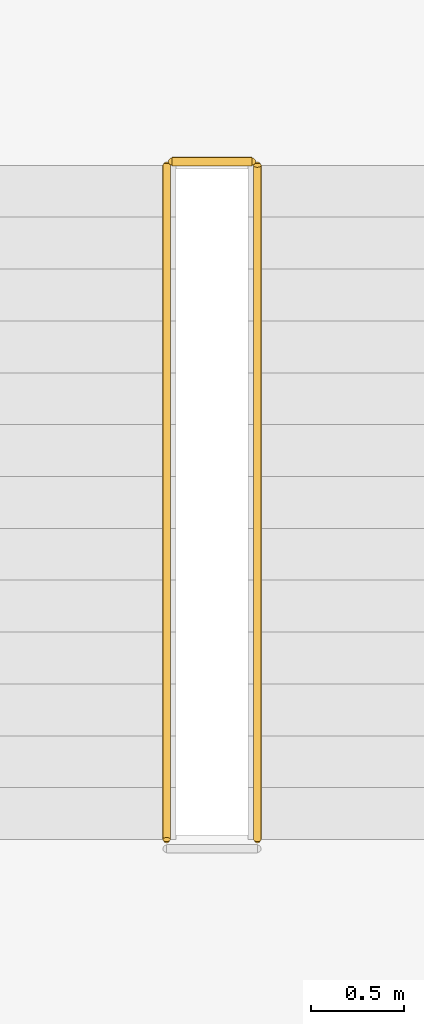
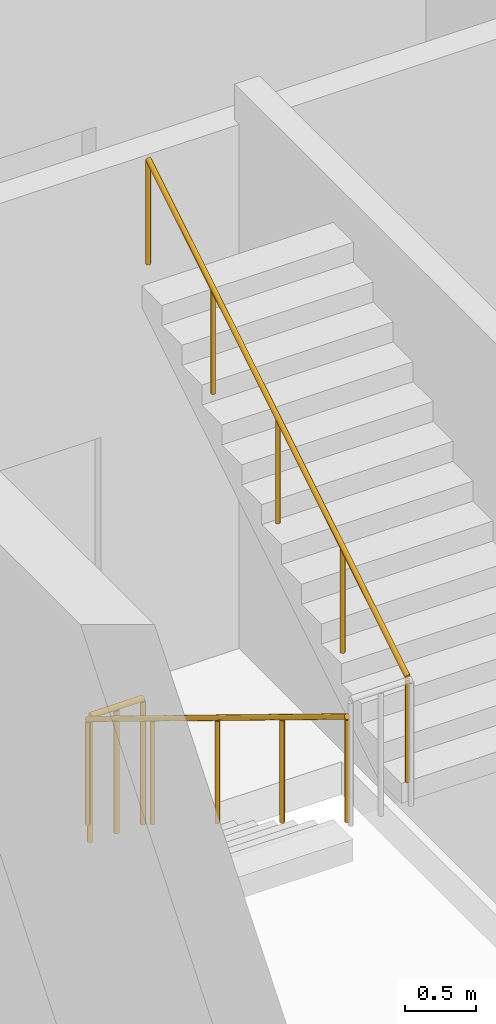
# One storey, part 157 of 167: 3 railings.
"""IFC4 building model written with IfcOpenShell, lengths in metres."""

from ifc_helpers import new_model, si_unit, direction, frame, origin, origin_2d, place, context, subcontext, project, spatial, circle, extrude, material, type_object, element, save


model = new_model("IFC4")

# Units and contexts
model_context = context("Model", 3, precision=1e-05, world=origin(), true_north=direction((0.0, 1.0)))
body_context = subcontext(model_context, "Body", "Model", "MODEL_VIEW")
ifc_project = project(units=[si_unit("LENGTHUNIT", "METRE"), si_unit("AREAUNIT", "SQUARE_METRE"), si_unit("VOLUMEUNIT", "CUBIC_METRE"), si_unit("PLANEANGLEUNIT", "RADIAN"), si_unit("MASSUNIT", "GRAM", prefix="KILO")], contexts=[model_context])

# Site, building, storey
site_placement = place(None, origin())
site = spatial("IfcSite", under=ifc_project, at=site_placement, CompositionType="ELEMENT")
building_placement = place(site_placement, origin())
building = spatial("IfcBuilding", under=site, at=building_placement, Name="Dornveld Trade and Exhibition Forum", CompositionType="ELEMENT")
storey_placement = place(building_placement, frame((0.0, 0.0, 16.800048828125)))
storey = spatial("IfcBuildingStorey", under=building, at=storey_placement, Name="L03", CompositionType="ELEMENT", Elevation=16.800048828125)

# Railings
ifc_material_1 = material(Name="Brushed stainless steel handrail", Category="steel")
railing_type_1 = type_object("IfcRailingType", Name="RL-HAND-920", PredefinedType="HANDRAIL", material=ifc_material_1)
railing_1_placement = place(storey_placement, frame((101.60498046875, 99.35009765625, 0.17138671875)))
element("IfcRailing", 1, at=railing_1_placement, inside=storey, type_object=railing_type_1, Name="ST-03-L03 flight 1 handrail", PredefinedType="HANDRAIL", context=body_context, shape_type="SweptSolid", body=[
    extrude(circle(Radius=0.02099609375, at=origin_2d()), frame((0.0, 0.0, 0.89892578125), z_axis=(0.0, -0.852865859571, 0.52213008492), x_axis=(1.0, 0.0, 0.0)), (0.0, 0.0, 1.0), 4.26806640625),
    extrude(circle(Radius=0.01806640625, at=origin_2d()), origin(), (0.0, 0.0, 1.0), 0.8779296875),
    extrude(circle(Radius=0.01806640625, at=origin_2d()), frame((0.0, -0.91015625, 0.55712890625)), (0.0, 0.0, 1.0), 0.8779296875),
    extrude(circle(Radius=0.01806640625, at=origin_2d()), frame((0.0, -1.820068359375, 1.1142578125)), (0.0, 0.0, 1.0), 0.8779296875),
    extrude(circle(Radius=0.01806640625, at=origin_2d()), frame((0.0, -2.72998046875, 1.67138671875)), (0.0, 0.0, 1.0), 0.8779296875),
    extrude(circle(Radius=0.01806640625, at=origin_2d()), frame((0.0, -3.64013671875, 2.228515625)), (0.0, 0.0, 1.0), 0.8779296875),
])
railing_2_placement = place(storey_placement, frame((102.094970703125, 95.7099609375, 2.5712890625)))
element("IfcRailing", 2, at=railing_2_placement, inside=storey, type_object=railing_type_1, Name="ST-03-L03 flight 2 handrail", PredefinedType="HANDRAIL", context=body_context, shape_type="SweptSolid", body=[
    extrude(circle(Radius=0.02099609375, at=origin_2d()), frame((0.0, 0.0, 0.89892578125), z_axis=(0.0, 0.852840387347, 0.522171689878), x_axis=(-1.0, 0.0, 0.0)), (0.0, 0.0, 1.0), 4.268310546875),
    extrude(circle(Radius=0.01806640625, at=origin_2d()), origin(), (0.0, 0.0, 1.0), 0.8779296875),
    extrude(circle(Radius=0.01806640625, at=origin_2d()), frame((0.0, 0.91015625, 0.55712890625)), (0.0, 0.0, 1.0), 0.8779296875),
    extrude(circle(Radius=0.01806640625, at=origin_2d()), frame((0.0, 1.820068359375, 1.1142578125)), (0.0, 0.0, 1.0), 0.8779296875),
    extrude(circle(Radius=0.01806640625, at=origin_2d()), frame((0.0, 2.72998046875, 1.671630859375)), (0.0, 0.0, 1.0), 0.8779296875),
    extrude(circle(Radius=0.01806640625, at=origin_2d()), frame((0.0, 3.64013671875, 2.228759765625)), (0.0, 0.0, 1.0), 0.8779296875),
])
ifc_material_2 = material(Name="Painted steel S355J2 stair-well guard", Category="steel")
railing_type_2 = type_object("IfcRailingType", Name="RL-WELL-110", PredefinedType="GUARDRAIL", material=ifc_material_2)
railing_3_placement = place(storey_placement, frame((101.635009765625, 99.3701171875, 0.0)))
element("IfcRailing", 3, at=railing_3_placement, inside=storey, type_object=railing_type_2, Name="CORE-03 L03 stair-slot floor guard", PredefinedType="GUARDRAIL", context=body_context, shape_type="SweptSolid", body=[
    extrude(circle(Radius=0.02392578125, at=origin_2d()), frame((0.0, 0.0, 1.076171875), z_axis=(1.0, 0.0, 0.0), x_axis=(0.0, 1.0, 0.0)), (0.0, 0.0, 1.0), 0.429931640625),
    extrude(circle(Radius=0.02001953125, at=origin_2d()), origin(), (0.0, 0.0, 1.0), 1.052001953125),
    extrude(circle(Radius=0.02001953125, at=origin_2d()), frame((0.21484375, 0.0, 0.0)), (0.0, 0.0, 1.0), 1.052001953125),
    extrude(circle(Radius=0.02001953125, at=origin_2d()), frame((0.429931640625, 0.0, 0.0)), (0.0, 0.0, 1.0), 1.052001953125),
])

save(model, "model.ifc")
